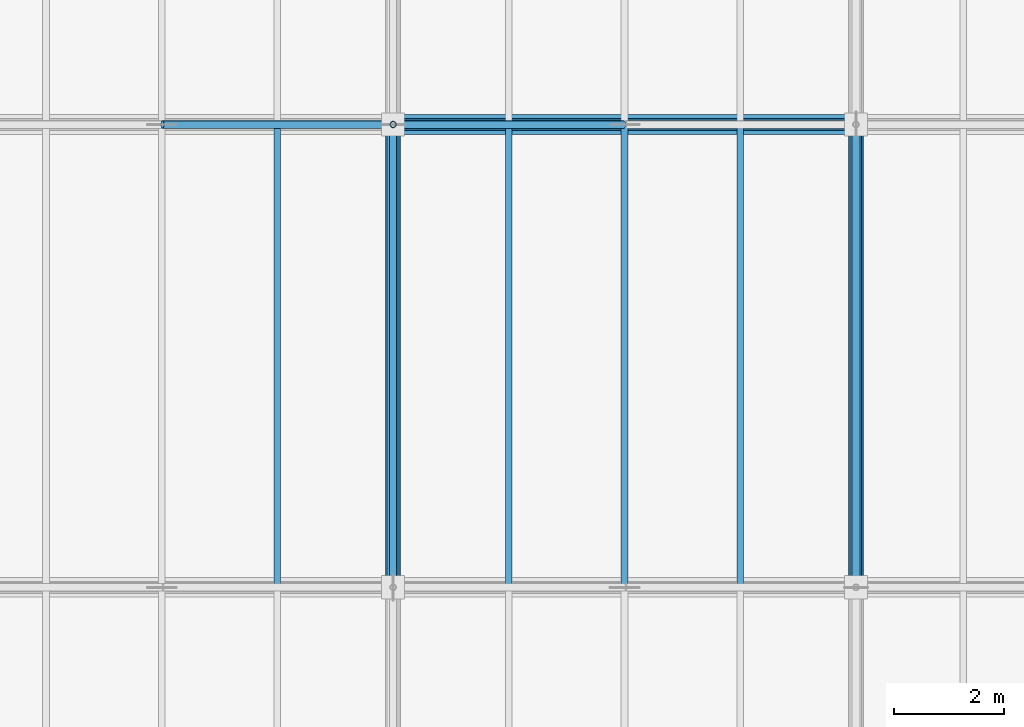
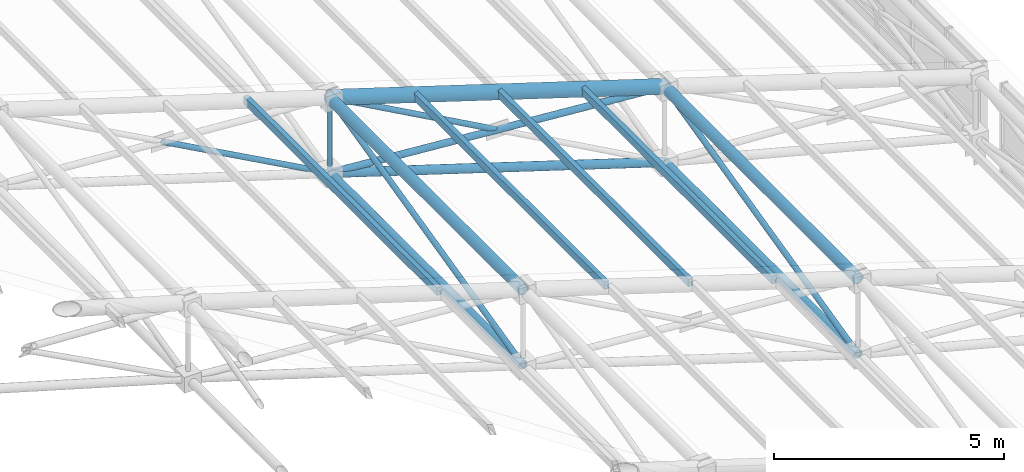
# One storey, part 85 of 144: 16 members.
"""IFC4 building model written with IfcOpenShell, lengths in metres."""

from ifc_helpers import new_model, si_unit, direction, frame, origin, origin_2d, place, context, subcontext, project, spatial, hollow_rectangle, hollow_circle, extrude, material, material_profile, profile_set, type_object, element, save


model = new_model("IFC4")

# Units and contexts
model_context = context("Model", 3, precision=1e-05, world=origin(), true_north=direction((0.0, 1.0)))
body_context = subcontext(model_context, "Body", "Model", "MODEL_VIEW")
ifc_project = project(units=[si_unit("LENGTHUNIT", "METRE"), si_unit("AREAUNIT", "SQUARE_METRE"), si_unit("VOLUMEUNIT", "CUBIC_METRE"), si_unit("PLANEANGLEUNIT", "RADIAN"), si_unit("MASSUNIT", "GRAM", prefix="KILO")], contexts=[model_context])

# Site, building, storey
site_placement = place(None, origin())
site = spatial("IfcSite", under=ifc_project, at=site_placement, CompositionType="ELEMENT")
building_placement = place(site_placement, origin())
building = spatial("IfcBuilding", under=site, at=building_placement, Name="Zayran Congress Hotel", CompositionType="ELEMENT")
storey_placement = place(building_placement, frame((0.0, 0.0, 19.199951171875)))
storey = spatial("IfcBuildingStorey", under=building, at=storey_placement, Name="L04", CompositionType="ELEMENT", Elevation=19.199951171875)

# Members
ifc_material = material(Name="Steel S355", Category="steel")
ifc_material_profile_1 = material_profile(ifc_material, hollow_circle(Radius=0.177734375, WallThickness=0.01611328125, at=origin_2d()), Name="CHS 355.6x16")
ifc_profile_set_1 = profile_set([ifc_material_profile_1], Name="Steel S355")
member_type_1 = type_object("IfcMemberType", Name="TP-SF-TC1", PredefinedType="CHORD", material=ifc_profile_set_1)
member_1_placement = place(storey_placement, frame((75.60009765625, 84.39990234375, 7.302001953125), z_axis=(0.953670596398, 0.0, -0.300852777228), x_axis=(0.0, 1.0, 0.0)))
element("IfcMember", 1, at=member_1_placement, inside=storey, type_object=member_type_1, Name="Space Frame Top Chord X 453", PredefinedType="CHORD", context=body_context, shape_type="SweptSolid", body=[
    extrude(hollow_circle(Radius=0.177734375, WallThickness=0.01611328125, at=origin_2d()), origin(), (0.0, 0.0, 1.0), 8.807861328125),
])
ifc_material_profile_2 = material_profile(ifc_material, hollow_circle(Radius=0.136474609375, WallThickness=0.012451171875, at=origin_2d()), Name="CHS 273x12.5")
ifc_profile_set_2 = profile_set([ifc_material_profile_2], Name="Steel S355")
member_type_2 = type_object("IfcMemberType", Name="TP-SF-TC2", PredefinedType="CHORD", material=ifc_profile_set_2)
for number, where, z_axis, x_axis, name in (
    (2, (75.60009765625, 76.0, 7.302001953125), (0.0, 1.0, 0.0), (-1.0, 0.0, 0.0), "Space Frame Top Chord Y 449"),
    (3, (84.0, 76.0, 4.652099609375), (0.0, 1.0, 0.0), (-1.0, 0.0, 0.0), "Space Frame Top Chord Y 502"),
):
    element("IfcMember", number, at=place(storey_placement, frame(where, z_axis=z_axis, x_axis=x_axis)), inside=storey, type_object=member_type_2, Name=name, PredefinedType="CHORD", context=body_context, shape_type="SweptSolid", body=[
        extrude(hollow_circle(Radius=0.136474609375, WallThickness=0.012451171875, at=origin_2d()), origin(), (0.0, 0.0, 1.0), 8.39990234375),
    ])
ifc_material_profile_3 = material_profile(ifc_material, hollow_circle(Radius=0.109619140625, WallThickness=0.010009765625, at=origin_2d()), Name="CHS 219.1x10")
ifc_profile_set_3 = profile_set([ifc_material_profile_3], Name="Steel S355")
member_type_3 = type_object("IfcMemberType", Name="TP-SF-BC1", PredefinedType="CHORD", material=ifc_profile_set_3)
member_2_placement = place(storey_placement, frame((75.60009765625, 76.0, 5.300048828125), z_axis=(0.0, 1.0, 0.0), x_axis=(-1.0, 0.0, 0.0)))
element("IfcMember", 4, at=member_2_placement, inside=storey, type_object=member_type_3, Name="Space Frame Bottom Chord Y 450", PredefinedType="CHORD", context=body_context, shape_type="SweptSolid", body=[
    extrude(hollow_circle(Radius=0.109619140625, WallThickness=0.010009765625, at=origin_2d()), origin(), (0.0, 0.0, 1.0), 8.39990234375),
])
member_3_placement = place(storey_placement, frame((75.60009765625, 84.39990234375, 5.300048828125), z_axis=(0.953670596398, 0.0, -0.300852777228), x_axis=(0.0, 1.0, 0.0)))
element("IfcMember", 5, at=member_3_placement, inside=storey, type_object=member_type_3, Name="Space Frame Bottom Chord X 454", PredefinedType="CHORD", context=body_context, shape_type="SweptSolid", body=[
    extrude(hollow_circle(Radius=0.109619140625, WallThickness=0.010009765625, at=origin_2d()), origin(), (0.0, 0.0, 1.0), 8.807861328125),
])
member_4_placement = place(storey_placement, frame((84.0, 76.0, 2.650146484375), z_axis=(0.0, 1.0, 0.0), x_axis=(-1.0, 0.0, 0.0)))
element("IfcMember", 6, at=member_4_placement, inside=storey, type_object=member_type_3, Name="Space Frame Bottom Chord Y 503", PredefinedType="CHORD", context=body_context, shape_type="SweptSolid", body=[
    extrude(hollow_circle(Radius=0.109619140625, WallThickness=0.010009765625, at=origin_2d()), origin(), (0.0, 0.0, 1.0), 8.39990234375),
])
ifc_material_profile_4 = material_profile(ifc_material, hollow_circle(Radius=0.084228515625, WallThickness=0.008056640625, at=origin_2d()), Name="CHS 168.3x8")
ifc_profile_set_4 = profile_set([ifc_material_profile_4], Name="Steel S355")
member_type_4 = type_object("IfcMemberType", Name="TP-SF-DG1", PredefinedType="BRACE", material=ifc_profile_set_4)
member_5_placement = place(storey_placement, frame((75.60009765625, 84.39990234375, 5.300048828125), z_axis=(0.997038098414, 0.0, -0.076909234238), x_axis=(0.0, 1.0, 0.0)))
element("IfcMember", 7, at=member_5_placement, inside=storey, type_object=member_type_4, Name="Space Frame Web Diagonal X 455", PredefinedType="BRACE", context=body_context, shape_type="SweptSolid", body=[
    extrude(hollow_circle(Radius=0.084228515625, WallThickness=0.008056640625, at=origin_2d()), origin(), (0.0, 0.0, 1.0), 8.4248046875),
])
ifc_material_profile_5 = material_profile(ifc_material, hollow_circle(Radius=0.06982421875, WallThickness=0.00634765625, at=origin_2d()), Name="CHS 139.7x6.3")
ifc_profile_set_5 = profile_set([ifc_material_profile_5], Name="Steel S355")
member_type_5 = type_object("IfcMemberType", Name="TP-SF-DG2", PredefinedType="BRACE", material=ifc_profile_set_5)
member_6_placement = place(storey_placement, frame((71.4130859375, 84.39990234375, 7.59375), z_axis=(0.877024445647, 0.0, -0.480445753169), x_axis=(0.0, 1.0, 0.0)))
element("IfcMember", 8, at=member_6_placement, inside=storey, type_object=member_type_5, Name="Space Frame Counter Diagonal X Lower 64", PredefinedType="BRACE", context=body_context, shape_type="SweptSolid", body=[
    extrude(hollow_circle(Radius=0.06982421875, WallThickness=0.00634765625, at=origin_2d()), origin(), (0.0, 0.0, 1.0), 4.774169921875),
])
member_7_placement = place(storey_placement, frame((75.60009765625, 76.0, 5.300048828125), z_axis=(0.0, 0.97275461998, 0.231837118056), x_axis=(-1.0, 0.0, 0.0)))
element("IfcMember", 9, at=member_7_placement, inside=storey, type_object=member_type_5, Name="Space Frame Web Diagonal Y 451", PredefinedType="BRACE", context=body_context, shape_type="SweptSolid", body=[
    extrude(hollow_circle(Radius=0.06982421875, WallThickness=0.00634765625, at=origin_2d()), origin(), (0.0, 0.0, 1.0), 8.63525390625),
])
member_8_placement = place(storey_placement, frame((75.60009765625, 84.39990234375, 7.302001953125), z_axis=(0.874810980482, 0.0, -0.484464393355), x_axis=(0.0, 1.0, 0.0)))
element("IfcMember", 10, at=member_8_placement, inside=storey, type_object=member_type_5, Name="Space Frame Counter Diagonal X Upper 456", PredefinedType="BRACE", context=body_context, shape_type="SweptSolid", body=[
    extrude(hollow_circle(Radius=0.06982421875, WallThickness=0.00634765625, at=origin_2d()), origin(), (0.0, 0.0, 1.0), 4.785888671875),
])
member_9_placement = place(storey_placement, frame((84.0, 76.0, 2.650146484375), z_axis=(0.0, 0.97275461998, 0.231837118056), x_axis=(-1.0, 0.0, 0.0)))
element("IfcMember", 11, at=member_9_placement, inside=storey, type_object=member_type_5, Name="Space Frame Web Diagonal Y 504", PredefinedType="BRACE", context=body_context, shape_type="SweptSolid", body=[
    extrude(hollow_circle(Radius=0.06982421875, WallThickness=0.00634765625, at=origin_2d()), origin(), (0.0, 0.0, 1.0), 8.63525390625),
])
ifc_material_profile_6 = material_profile(ifc_material, hollow_circle(Radius=0.05712890625, WallThickness=0.00634765625, at=origin_2d()), Name="CHS 114.3x6.3")
ifc_profile_set_6 = profile_set([ifc_material_profile_6], Name="Steel S355")
member_type_6 = type_object("IfcMemberType", Name="TP-SF-DG3", PredefinedType="BRACE", material=ifc_profile_set_6)
member_10_placement = place(storey_placement, frame((75.60009765625, 84.39990234375, 5.300048828125), z_axis=(0.0, 0.0, 1.0), x_axis=(0.0, 1.0, 0.0)))
element("IfcMember", 12, at=member_10_placement, inside=storey, type_object=member_type_6, Name="Space Frame Web Strut 460", PredefinedType="BRACE", context=body_context, shape_type="SweptSolid", body=[
    extrude(hollow_circle(Radius=0.05712890625, WallThickness=0.00634765625, at=origin_2d()), origin(), (0.0, 0.0, 1.0), 2.001953125),
])
ifc_material_profile_7 = material_profile(ifc_material, hollow_rectangle(XDim=0.1201171875, YDim=0.199951171875, WallThickness=0.008056640625, at=origin_2d()), Name="RHS 200x120x8")
ifc_profile_set_7 = profile_set([ifc_material_profile_7], Name="Steel S355")
member_type_7 = type_object("IfcMemberType", Name="TP-PR-01", PredefinedType="PURLIN", material=ifc_profile_set_7)
for number, where, z_axis, x_axis, name in (
    (13, (73.5, 76.0, 7.994140625), (0.0, 1.0, 0.0), (-1.0, 0.0, 0.0), "MEM-PR-V1-0140"),
    (14, (77.699951171875, 76.0, 6.681640625), (0.0, 1.0, 0.0), (-1.0, 0.0, 0.0), "MEM-PR-V1-0146"),
    (15, (79.800048828125, 76.0, 6.01904296875), (0.0, 1.0, 0.0), (-1.0, 0.0, 0.0), "MEM-PR-V1-0152"),
    (16, (81.89990234375, 76.0, 5.3564453125), (0.0, 1.0, 0.0), (-1.0, 0.0, 0.0), "MEM-PR-V1-0158"),
):
    element("IfcMember", number, at=place(storey_placement, frame(where, z_axis=z_axis, x_axis=x_axis)), inside=storey, type_object=member_type_7, Name=name, PredefinedType="PURLIN", context=body_context, shape_type="SweptSolid", body=[
        extrude(hollow_rectangle(XDim=0.1201171875, YDim=0.199951171875, WallThickness=0.008056640625, at=origin_2d()), origin(), (0.0, 0.0, 1.0), 8.39990234375),
    ])

save(model, "model.ifc")
